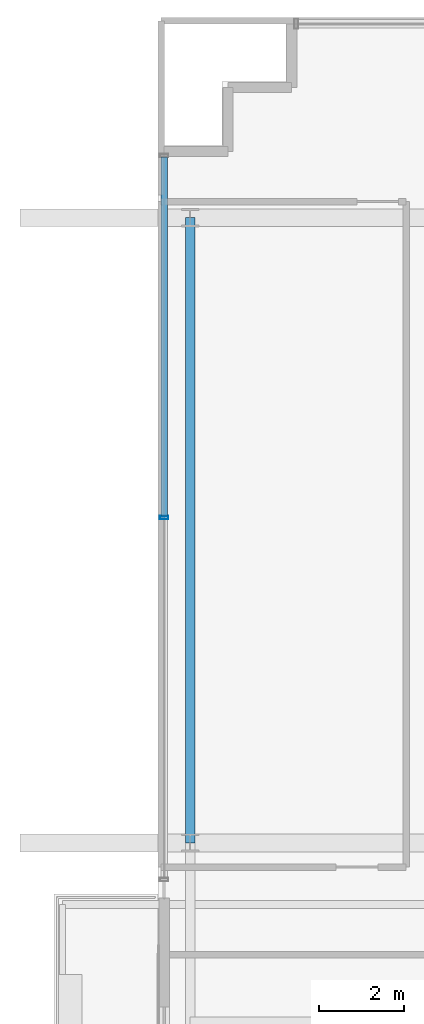
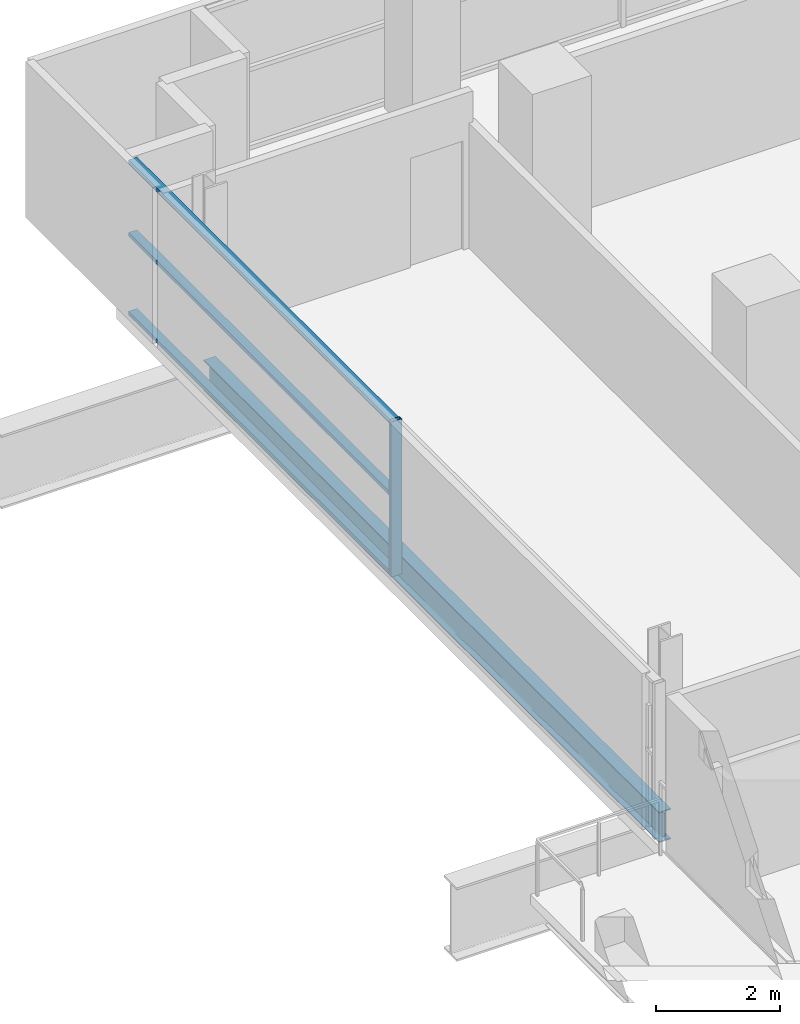
# One storey, part 7 of 31: 4 members, 1 beam, 1 element without a shape of its own.
"""IFC4 building model written with IfcOpenShell, lengths in metres."""

from ifc_helpers import new_model, si_unit, direction, frame, origin, origin_2d, place, context, subcontext, project, spatial, hollow_rectangle, i_section, extrude, source, transform, mapped, material, layer, layer_set, material_profile, profile_set, type_object, element, aggregate, save


model = new_model("IFC4")

# Units and contexts
model_context = context("Model", 3, precision=1e-05, world=origin(), true_north=direction((0.0, 1.0)))
body_context = subcontext(model_context, "Body", "Model", "MODEL_VIEW")
ifc_project = project(units=[si_unit("LENGTHUNIT", "METRE"), si_unit("AREAUNIT", "SQUARE_METRE"), si_unit("VOLUMEUNIT", "CUBIC_METRE"), si_unit("PLANEANGLEUNIT", "RADIAN"), si_unit("MASSUNIT", "GRAM", prefix="KILO")], contexts=[model_context])

# Site, building, storey
site_placement = place(None, origin())
site = spatial("IfcSite", under=ifc_project, at=site_placement, CompositionType="ELEMENT")
building_placement = place(site_placement, origin())
building = spatial("IfcBuilding", under=site, at=building_placement, Name="Zarnakvel Exchange Tower", CompositionType="ELEMENT")
storey_placement = place(building_placement, frame((0.0, 0.0, 53.800048828125)))
storey = spatial("IfcBuildingStorey", under=building, at=storey_placement, Name="L14", CompositionType="ELEMENT", Elevation=53.800048828125)

# Beam
ifc_material_1 = material(Name="Steel S355", Category="steel")
ifc_material_profile_1 = material_profile(ifc_material_1, i_section(OverallWidth=0.219970703125, OverallDepth=0.60009765625, WebThickness=0.011962890625, FlangeThickness=0.01904296875, FilletRadius=0.02392578125, at=origin_2d()))
ifc_profile_set_1 = profile_set([ifc_material_profile_1], Name="Steel S355")
beam_type = type_object("IfcBeamType", Name="SP-01", PredefinedType="SPANDREL", material=ifc_profile_set_1)
beam_placement = place(storey_placement, frame((-27.85009765625, -1.199951171875, -0.525146484375), z_axis=(0.0, 1.0, 0.0), x_axis=(-1.0, 0.0, 0.0)))
element("IfcBeam", 1, at=beam_placement, inside=storey, type_object=beam_type, Name="L14 Tower N-S Frame Beam", PredefinedType="SPANDREL", context=body_context, shape_type="SweptSolid", body=[
    extrude(i_section(OverallWidth=0.219970703125, OverallDepth=0.60009765625, WebThickness=0.011962890625, FlangeThickness=0.01904296875, FilletRadius=0.02392578125, at=origin_2d()), origin(), (0.0, 0.0, 1.0), 14.699951171875),
])

# Curtain wall, members
ifc_material_2 = material(Name="Architectural Bronze Anodised Aluminium", Category="aluminium")
ifc_layer = layer(ifc_material_2, 0.199951171875)
ifc_layer_set = layer_set([ifc_layer], Name="Architectural Bronze Anodised Aluminium")
curtain_wall_type = type_object("IfcCurtainWallType", Name="CW-04", PredefinedType="NOTDEFINED", material=ifc_layer_set)
curtain_wall_placement = place(storey_placement, origin())
curtain_wall = element("IfcCurtainWall", 2, at=curtain_wall_placement, inside=storey, type_object=curtain_wall_type, Name="L14 Curtain Wall CW-L14-WN (CW-04)", PredefinedType="NOTDEFINED")
ifc_material_profile_2 = material_profile(ifc_material_2, hollow_rectangle(XDim=0.159912109375, YDim=0.074951171875, WallThickness=0.00390625, at=origin_2d()))
ifc_profile_set_2 = profile_set([ifc_material_profile_2], Name="Architectural Bronze Anodised Aluminium")
member_type_1 = type_object("IfcMemberType", Name="CWT-04", PredefinedType="USERDEFINED", material=ifc_profile_set_2)
shared_shape_1 = source(origin(), body_context, "Body", "SweptSolid", [
    extrude(hollow_rectangle(XDim=0.159912109375, YDim=0.074951171875, WallThickness=0.00390625, at=origin_2d()), origin(), (0.0, 0.0, 1.0), 8.4375),
])
member_1_placement = place(storey_placement, frame((-28.4599609375, 6.487548828125, 0.037353515625), z_axis=(0.0, 1.0, 0.0), x_axis=(-1.0, 0.0, 0.0)))
member_1 = element("IfcMember", 3, at=member_1_placement, type_object=member_type_1, Name="CW-04 transom 2.1", ObjectType="TRANSOM", PredefinedType="USERDEFINED", context=body_context, shape_type="MappedRepresentation", body=[
    mapped(shared_shape_1, transform((0.0, 0.0, 0.0), x_axis=(1.0, 0.0, 0.0), y_axis=(0.0, 1.0, 0.0), z_axis=(0.0, 0.0, 1.0), scale=1.0)),
])
member_2_placement = place(storey_placement, frame((-28.4599609375, 6.487548828125, 1.588623046875), z_axis=(0.0, 1.0, 0.0), x_axis=(-1.0, 0.0, 0.0)))
member_2 = element("IfcMember", 4, at=member_2_placement, type_object=member_type_1, Name="CW-04 transom 2.2", ObjectType="TRANSOM", PredefinedType="USERDEFINED", context=body_context, shape_type="MappedRepresentation", body=[
    mapped(shared_shape_1, transform((0.0, 0.0, 0.0), x_axis=(1.0, 0.0, 0.0), y_axis=(0.0, 1.0, 0.0), z_axis=(0.0, 0.0, 1.0), scale=1.0)),
])
member_3_placement = place(storey_placement, frame((-28.4599609375, 6.487548828125, 3.017333984375), z_axis=(0.0, 1.0, 0.0), x_axis=(-1.0, 0.0, 0.0)))
member_3 = element("IfcMember", 5, at=member_3_placement, type_object=member_type_1, Name="CW-04 transom 2.3", ObjectType="TRANSOM", PredefinedType="USERDEFINED", context=body_context, shape_type="MappedRepresentation", body=[
    mapped(shared_shape_1, transform((0.0, 0.0, 0.0), x_axis=(1.0, 0.0, 0.0), y_axis=(0.0, 1.0, 0.0), z_axis=(0.0, 0.0, 1.0), scale=1.0)),
])
ifc_material_profile_3 = material_profile(ifc_material_2, hollow_rectangle(XDim=0.199951171875, YDim=0.074951171875, WallThickness=0.0048828125, at=origin_2d()))
ifc_profile_set_3 = profile_set([ifc_material_profile_3], Name="Architectural Bronze Anodised Aluminium")
member_type_2 = type_object("IfcMemberType", Name="CWM-04", PredefinedType="MULLION", material=ifc_profile_set_3)
shared_shape_2 = source(origin(), body_context, "Body", "SweptSolid", [
    extrude(hollow_rectangle(XDim=0.199951171875, YDim=0.074951171875, WallThickness=0.0048828125, at=origin_2d()), origin(), (0.0, 0.0, 1.0), 3.054931640625),
])
member_4_placement = place(storey_placement, frame((-28.4599609375, 6.449951171875, 0.0), z_axis=(0.0, 0.0, 1.0), x_axis=(-1.0, 0.0, 0.0)))
member_4 = element("IfcMember", 6, at=member_4_placement, type_object=member_type_2, Name="CW-04 mullion 2", PredefinedType="MULLION", context=body_context, shape_type="MappedRepresentation", body=[
    mapped(shared_shape_2, transform((0.0, 0.0, 0.0), x_axis=(1.0, 0.0, 0.0), y_axis=(0.0, 1.0, 0.0), z_axis=(0.0, 0.0, 1.0), scale=1.0)),
])
aggregate(curtain_wall, [member_4, member_1, member_2, member_3])

save(model, "model.ifc")
